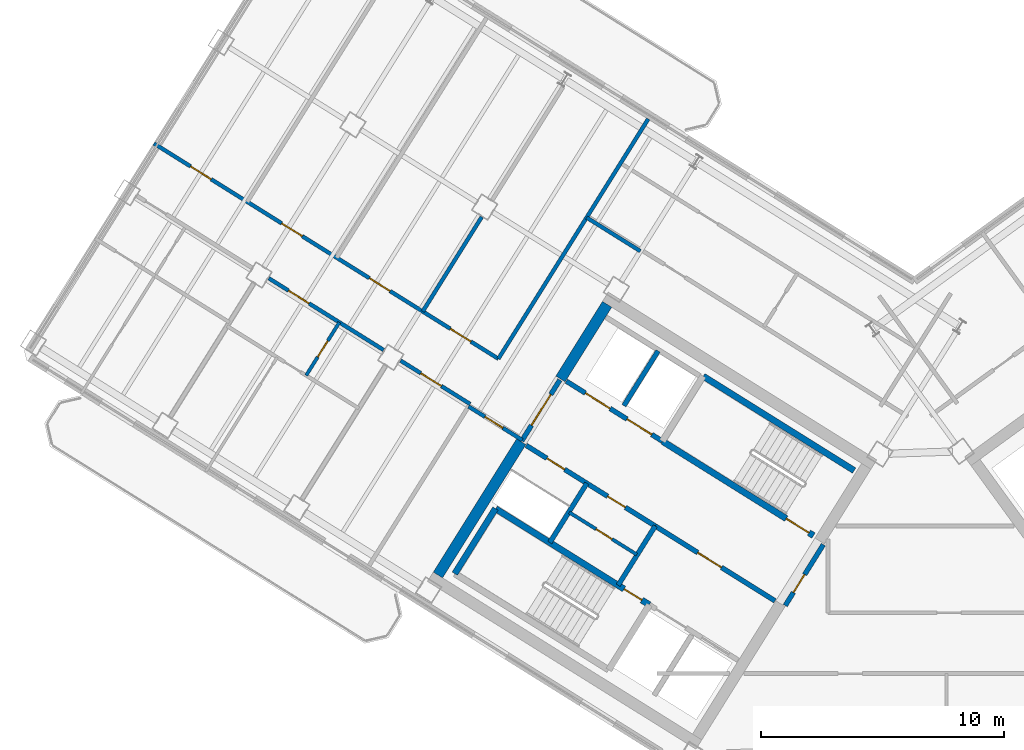
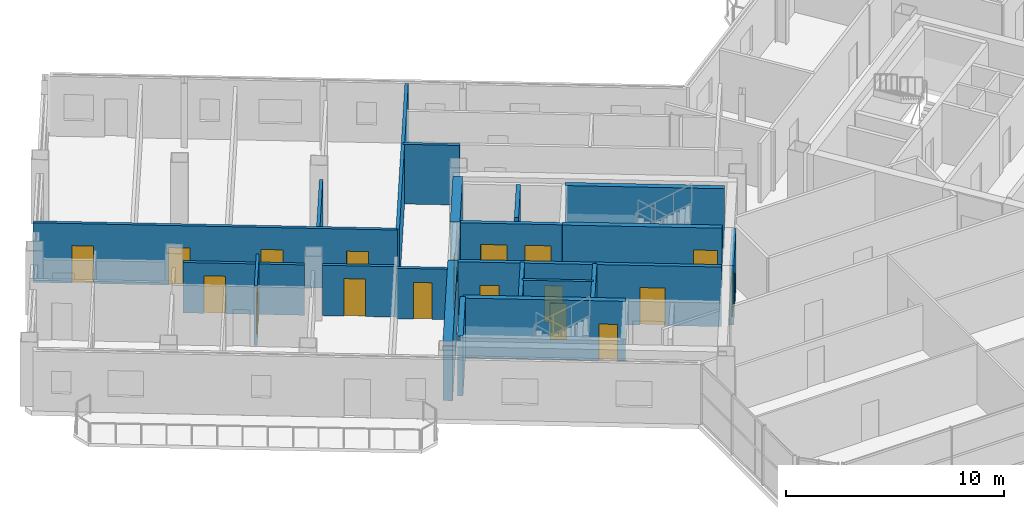
# One storey, part 12 of 21: 23 walls, 18 doors, 18 openings.
"""IFC4 building model written with IfcOpenShell, lengths in metres."""

from ifc_helpers import new_model, si_unit, direction, frame, frame_2d, origin, place, context, subcontext, project, spatial, rectangle, extrude, source, transform, mapped, material, layer, layer_set, type_object, element, fill, save


model = new_model("IFC4")

# Units and contexts
model_context = context("Model", 3, precision=1e-05, world=origin(), true_north=direction((0.0, 1.0)))
body_context = subcontext(model_context, "Body", "Model", "MODEL_VIEW")
ifc_project = project(units=[si_unit("LENGTHUNIT", "METRE"), si_unit("AREAUNIT", "SQUARE_METRE"), si_unit("VOLUMEUNIT", "CUBIC_METRE"), si_unit("PLANEANGLEUNIT", "RADIAN"), si_unit("MASSUNIT", "GRAM", prefix="KILO")], contexts=[model_context])

# Site, building, storey
site_placement = place(None, origin())
site = spatial("IfcSite", under=ifc_project, at=site_placement, CompositionType="ELEMENT")
building_placement = place(site_placement, origin())
building = spatial("IfcBuilding", under=site, at=building_placement, Name="Tlacorven Tower", CompositionType="ELEMENT")
storey_placement = place(building_placement, frame((0.0, 0.0, 214.800048828125)))
storey = spatial("IfcBuildingStorey", under=building, at=storey_placement, Name="L54", CompositionType="ELEMENT", Elevation=214.800048828125)

# Walls
ifc_material_1 = material(Name="Concrete C50/60", Category="concrete")
ifc_layer_1 = layer(ifc_material_1, 0.449951171875)
ifc_layer_set_1 = layer_set([ifc_layer_1], Name="Concrete C50/60")
wall_type_1 = type_object("IfcWallType", Name="WL-COR-450", PredefinedType="SHEAR", material=ifc_layer_set_1)
wall_1_placement = place(storey_placement, frame((29.543701171875, 30.636474609375, 0.0), z_axis=(0.0, 0.0, 1.0), x_axis=(-0.529902075036, -0.848058836916, 0.0)))
element("IfcWall", 1, at=wall_1_placement, inside=storey, type_object=wall_type_1, Name="L54 W core end wall E2.1", PredefinedType="SHEAR", context=body_context, shape_type="SweptSolid", body=[
    extrude(rectangle(XDim=3.625, YDim=0.449951171875, at=frame_2d((1.8125, 0.0))), origin(), (0.0, 0.0, 1.0), 3.349853515625),
])
wall_2_placement = place(storey_placement, frame((26.006591796875, 24.975830078125, 0.0), z_axis=(0.0, 0.0, 1.0), x_axis=(-0.529931155655, -0.848040665456, 0.0)))
element("IfcWall", 2, at=wall_2_placement, inside=storey, type_object=wall_type_1, Name="L54 W core end wall E2.2", PredefinedType="SHEAR", context=body_context, shape_type="SweptSolid", body=[
    extrude(rectangle(XDim=6.47509765625, YDim=0.449951171875, at=frame_2d((3.237548828125, 0.0))), origin(), (0.0, 0.0, 1.0), 3.349853515625),
])
ifc_material_2 = material(Name="Gypsum plasterboard acoustic partition", Category="gypsum")
ifc_layer_2 = layer(ifc_material_2, 0.159912109375)
ifc_layer_set_2 = layer_set([ifc_layer_2], Name="Gypsum plasterboard acoustic partition")
wall_type_2 = type_object("IfcWallType", Name="WL-DEM-160", PredefinedType="PARTITIONING", material=ifc_layer_set_2)
wall_3_placement = place(storey_placement, frame((30.91357421875, 32.82861328125, 0.0), z_axis=(0.0, 0.0, 1.0), x_axis=(-0.848008813643, 0.529982124211, 0.0)))
element("IfcWall", 3, at=wall_3_placement, inside=storey, type_object=wall_type_2, Name="L54 partition 39", PredefinedType="PARTITIONING", context=body_context, shape_type="SweptSolid", body=[
    extrude(rectangle(XDim=2.610107421875, YDim=0.159912109375, at=frame_2d((1.30517578125, 0.0))), origin(), (0.0, 0.0, 1.0), 3.33984375),
])

# Wall, opening, door
wall_4_placement = place(storey_placement, frame((26.048828125, 25.043701171875, 0.0), z_axis=(0.0, 0.0, 1.0), x_axis=(-0.848050851465, 0.529914854792, 0.0)))
wall_4 = element("IfcWall", 4, at=wall_4_placement, inside=storey, type_object=wall_type_2, Name="L54 partition 40", PredefinedType="PARTITIONING", context=body_context, shape_type="SweptSolid", body=[
    extrude(rectangle(XDim=2.60986328125, YDim=0.159912109375, at=frame_2d((1.304931640625, 0.0))), origin(), (0.0, 0.0, 1.0), 2.824951171875),
])
opening_1_placement = place(wall_4_placement, frame((0.949951171875, 0.0, 0.0)))
opening_1 = element("IfcOpeningElement", 5, at=opening_1_placement, cuts=wall_4, Name="Opening D19", PredefinedType="OPENING", context=body_context, shape_type="SweptSolid", body=[
    extrude(rectangle(XDim=0.860107421875, YDim=2.050048828125, at=frame_2d((0.43017578125, 1.02490234375))), frame((0.0, 0.08984375, 0.0), z_axis=(0.0, -1.0, 0.0), x_axis=(1.0, 0.0, 0.0)), (0.0, 0.0, 1.0), 0.179931640625),
])
ifc_material_3 = material(Name="Fire-rated steel door assembly", Category="steel")
door_type_1 = type_object("IfcDoorType", Name="DR-RSR-FD60-0860", OperationType="NOTDEFINED", PredefinedType="DOOR", material=ifc_material_3)
shared_shape_1 = source(origin(), body_context, "Body", "SweptSolid", [
    extrude(rectangle(XDim=0.860107421875, YDim=2.050048828125, at=frame_2d((0.43017578125, 1.02490234375))), frame((0.0, 0.02490234375, 0.0), z_axis=(0.0, -1.0, 0.0), x_axis=(1.0, 0.0, 0.0)), (0.0, 0.0, 1.0), 0.050048828125),
])
door_1_placement = place(opening_1_placement, origin())
door_1 = element("IfcDoor", 6, at=door_1_placement, inside=storey, type_object=door_type_1, Name="L54 door 022", OperationType="SINGLE_SWING_RIGHT", OverallHeight=2.050048828125, OverallWidth=0.860107421875, PredefinedType="DOOR", context=body_context, shape_type="MappedRepresentation", body=[
    mapped(shared_shape_1, transform((0.0, 0.0, 0.0), scale=1.0)),
])
fill(opening_1, door_1)

# Wall
wall_5_placement = place(storey_placement, frame((31.238525390625, 38.27392578125, 0.0), z_axis=(0.0, 0.0, 1.0), x_axis=(-0.529925472745, -0.848044216616, 0.0)))
element("IfcWall", 7, at=wall_5_placement, inside=storey, type_object=wall_type_2, Name="L54 partition 41", PredefinedType="PARTITIONING", context=body_context, shape_type="SweptSolid", body=[
    extrude(rectangle(XDim=11.64990234375, YDim=0.159912109375, at=frame_2d((5.824951171875, 0.0))), origin(), (0.0, 0.0, 1.0), 3.33984375),
])

# Wall, openings, doors
wall_6_placement = place(storey_placement, frame((25.06494140625, 28.394287109375, 0.0), z_axis=(0.0, 0.0, 1.0), x_axis=(-0.848048310262, 0.529918921593, 0.0)))
wall_6 = element("IfcWall", 8, at=wall_6_placement, inside=storey, type_object=wall_type_2, Name="L54 Wing W Corridor South Wall", PredefinedType="PARTITIONING", context=body_context, shape_type="SweptSolid", body=[
    extrude(rectangle(XDim=16.72998046875, YDim=0.159912109375, at=frame_2d((8.364990234375, 0.0))), origin(), (0.0, 0.0, 1.0), 3.33984375),
])
opening_2_placement = place(wall_6_placement, frame((1.337890625, 0.0, 0.0)))
opening_2 = element("IfcOpeningElement", 9, at=opening_2_placement, cuts=wall_6, Name="Opening D11", PredefinedType="OPENING", context=body_context, shape_type="SweptSolid", body=[
    extrude(rectangle(XDim=1.0, YDim=2.10009765625, at=frame_2d((0.5, 1.050048828125))), frame((0.0, 0.08984375, 0.0), z_axis=(0.0, -1.0, 0.0), x_axis=(1.0, 0.0, 0.0)), (0.0, 0.0, 1.0), 0.179931640625),
])
opening_3_placement = place(wall_6_placement, frame((5.264892578125, 0.0, 0.0)))
opening_3 = element("IfcOpeningElement", 10, at=opening_3_placement, cuts=wall_6, Name="Opening D11", PredefinedType="OPENING", context=body_context, shape_type="SweptSolid", body=[
    extrude(rectangle(XDim=1.0, YDim=2.10009765625, at=frame_2d((0.5, 1.050048828125))), frame((0.0, 0.08984375, 0.0), z_axis=(0.0, -1.0, 0.0), x_axis=(1.0, 0.0, 0.0)), (0.0, 0.0, 1.0), 0.179931640625),
])
opening_4_placement = place(wall_6_placement, frame((9.52587890625, 0.0, 0.0)))
opening_4 = element("IfcOpeningElement", 11, at=opening_4_placement, cuts=wall_6, Name="Opening D11", PredefinedType="OPENING", context=body_context, shape_type="SweptSolid", body=[
    extrude(rectangle(XDim=1.0, YDim=2.10009765625, at=frame_2d((0.5, 1.050048828125))), frame((0.0, 0.08984375, 0.0), z_axis=(0.0, -1.0, 0.0), x_axis=(1.0, 0.0, 0.0)), (0.0, 0.0, 1.0), 0.179931640625),
])
opening_5_placement = place(wall_6_placement, frame((13.9541015625, 0.0, 0.0)))
opening_5 = element("IfcOpeningElement", 12, at=opening_5_placement, cuts=wall_6, Name="Opening D11", PredefinedType="OPENING", context=body_context, shape_type="SweptSolid", body=[
    extrude(rectangle(XDim=1.0, YDim=2.10009765625, at=frame_2d((0.5, 1.050048828125))), frame((0.0, 0.08984375, 0.0), z_axis=(0.0, -1.0, 0.0), x_axis=(1.0, 0.0, 0.0)), (0.0, 0.0, 1.0), 0.179931640625),
])
door_type_2 = type_object("IfcDoorType", Name="DR-FLT-FD60-1000", OperationType="NOTDEFINED", PredefinedType="DOOR", material=ifc_material_3)
shared_shape_2 = source(origin(), body_context, "Body", "SweptSolid", [
    extrude(rectangle(XDim=1.0, YDim=2.10009765625, at=frame_2d((0.5, 1.050048828125))), frame((0.0, 0.02490234375, 0.0), z_axis=(0.0, -1.0, 0.0), x_axis=(1.0, 0.0, 0.0)), (0.0, 0.0, 1.0), 0.050048828125),
])
door_2_placement = place(opening_2_placement, frame((1.0, 0.0, 0.0), z_axis=(0.0, 0.0, 1.0), x_axis=(-1.0, 0.0, 0.0)))
door_2 = element("IfcDoor", 13, at=door_2_placement, inside=storey, type_object=door_type_2, Name="L54 door 034", OperationType="SINGLE_SWING_LEFT", OverallHeight=2.10009765625, OverallWidth=1.0, PredefinedType="DOOR", context=body_context, shape_type="MappedRepresentation", body=[
    mapped(shared_shape_2, transform((0.0, 0.0, 0.0), scale=1.0)),
])
fill(opening_2, door_2)
door_3_placement = place(opening_3_placement, frame((1.0, 0.0, 0.0), z_axis=(0.0, 0.0, 1.0), x_axis=(-1.0, 0.0, 0.0)))
door_3 = element("IfcDoor", 14, at=door_3_placement, inside=storey, type_object=door_type_2, Name="L54 door 035", OperationType="SINGLE_SWING_RIGHT", OverallHeight=2.10009765625, OverallWidth=1.0, PredefinedType="DOOR", context=body_context, shape_type="MappedRepresentation", body=[
    mapped(shared_shape_2, transform((0.0, 0.0, 0.0), scale=1.0)),
])
fill(opening_3, door_3)
door_4_placement = place(opening_4_placement, frame((1.0, 0.0, 0.0), z_axis=(0.0, 0.0, 1.0), x_axis=(-1.0, 0.0, 0.0)))
door_4 = element("IfcDoor", 15, at=door_4_placement, inside=storey, type_object=door_type_2, Name="L54 door 036", OperationType="SINGLE_SWING_LEFT", OverallHeight=2.10009765625, OverallWidth=1.0, PredefinedType="DOOR", context=body_context, shape_type="MappedRepresentation", body=[
    mapped(shared_shape_2, transform((0.0, 0.0, 0.0), scale=1.0)),
])
fill(opening_4, door_4)
door_5_placement = place(opening_5_placement, frame((1.0, 0.0, 0.0), z_axis=(0.0, 0.0, 1.0), x_axis=(-1.0, 0.0, 0.0)))
door_5 = element("IfcDoor", 16, at=door_5_placement, inside=storey, type_object=door_type_2, Name="L54 door 037", OperationType="SINGLE_SWING_RIGHT", OverallHeight=2.10009765625, OverallWidth=1.0, PredefinedType="DOOR", context=body_context, shape_type="MappedRepresentation", body=[
    mapped(shared_shape_2, transform((0.0, 0.0, 0.0), scale=1.0)),
])
fill(opening_5, door_5)

# Wall, opening, door
wall_7_placement = place(storey_placement, frame((23.899169921875, 26.528564453125, 0.0), z_axis=(0.0, 0.0, 1.0), x_axis=(-0.848055143312, 0.529907986259, 0.0)))
wall_7 = element("IfcWall", 17, at=wall_7_placement, inside=storey, type_object=wall_type_2, Name="L54 Wing W Corridor North Wall", PredefinedType="PARTITIONING", context=body_context, shape_type="SweptSolid", body=[
    extrude(rectangle(XDim=3.3779296875, YDim=0.159912109375, at=frame_2d((1.68896484375, 0.0))), origin(), (0.0, 0.0, 1.0), 2.824951171875),
])
opening_6_placement = place(wall_7_placement, frame((1.39501953125, 0.0, 0.0)))
opening_6 = element("IfcOpeningElement", 18, at=opening_6_placement, cuts=wall_7, Name="Opening D11", PredefinedType="OPENING", context=body_context, shape_type="SweptSolid", body=[
    extrude(rectangle(XDim=1.0, YDim=2.10009765625, at=frame_2d((0.5, 1.050048828125))), frame((0.0, 0.08984375, 0.0), z_axis=(0.0, -1.0, 0.0), x_axis=(1.0, 0.0, 0.0)), (0.0, 0.0, 1.0), 0.179931640625),
])
door_6_placement = place(opening_6_placement, origin())
door_6 = element("IfcDoor", 19, at=door_6_placement, inside=storey, type_object=door_type_2, Name="L54 door 024", OperationType="SINGLE_SWING_LEFT", OverallHeight=2.10009765625, OverallWidth=1.0, PredefinedType="DOOR", context=body_context, shape_type="MappedRepresentation", body=[
    mapped(shared_shape_2, transform((0.0, 0.0, 0.0), scale=1.0)),
])
fill(opening_6, door_6)

wall_8_placement = place(storey_placement, frame((20.335693359375, 28.755126953125, 0.0), z_axis=(0.0, 0.0, 1.0), x_axis=(-0.848049955116, 0.529916289265, 0.0)))
wall_8 = element("IfcWall", 20, at=wall_8_placement, inside=storey, type_object=wall_type_2, Name="L54 Wing W Corridor North Wall", PredefinedType="PARTITIONING", context=body_context, shape_type="SweptSolid", body=[
    extrude(rectangle(XDim=5.575927734375, YDim=0.159912109375, at=frame_2d((2.7880859375, 0.0))), origin(), (0.0, 0.0, 1.0), 2.824951171875),
])
opening_7_placement = place(wall_8_placement, frame((3.617919921875, 0.0, 0.0)))
opening_7 = element("IfcOpeningElement", 21, at=opening_7_placement, cuts=wall_8, Name="Opening D11", PredefinedType="OPENING", context=body_context, shape_type="SweptSolid", body=[
    extrude(rectangle(XDim=1.0, YDim=2.10009765625, at=frame_2d((0.5, 1.050048828125))), frame((0.0, 0.08984375, 0.0), z_axis=(0.0, -1.0, 0.0), x_axis=(1.0, 0.0, 0.0)), (0.0, 0.0, 1.0), 0.179931640625),
])
door_7_placement = place(opening_7_placement, origin())
door_7 = element("IfcDoor", 22, at=door_7_placement, inside=storey, type_object=door_type_2, Name="L54 door 026", OperationType="SINGLE_SWING_LEFT", OverallHeight=2.10009765625, OverallWidth=1.0, PredefinedType="DOOR", context=body_context, shape_type="MappedRepresentation", body=[
    mapped(shared_shape_2, transform((0.0, 0.0, 0.0), scale=1.0)),
])
fill(opening_7, door_7)

# Wall
wall_9_placement = place(storey_placement, frame((24.378662109375, 34.23291015625, 0.0), z_axis=(0.0, 0.0, 1.0), x_axis=(-0.529922402838, -0.84804613493, 0.0)))
element("IfcWall", 23, at=wall_9_placement, inside=storey, type_object=wall_type_2, Name="L54 partition 55", PredefinedType="PARTITIONING", context=body_context, shape_type="SweptSolid", body=[
    extrude(rectangle(XDim=4.587646484375, YDim=0.159912109375, at=frame_2d((2.2939453125, 0.0))), origin(), (0.0, 0.0, 1.0), 2.824951171875),
])

# Wall, opening, door
ifc_material_4 = material(Name="Moisture-resistant gypsum plumbing wall", Category="gypsum")
ifc_layer_3 = layer(ifc_material_4, 0.139892578125)
ifc_layer_set_3 = layer_set([ifc_layer_3], Name="Moisture-resistant gypsum plumbing wall")
wall_type_3 = type_object("IfcWallType", Name="WL-PLM-140", PredefinedType="PLUMBINGWALL", material=ifc_layer_set_3)
wall_10_placement = place(storey_placement, frame((30.766357421875, 20.3271484375, 0.0), z_axis=(0.0, 0.0, 1.0), x_axis=(-0.848052663127, 0.529911955482, 0.0)))
wall_10 = element("IfcWall", 24, at=wall_10_placement, inside=storey, type_object=wall_type_3, Name="L54 partition 18", PredefinedType="PLUMBINGWALL", context=body_context, shape_type="SweptSolid", body=[
    extrude(rectangle(XDim=3.27978515625, YDim=0.139892578125, at=frame_2d((1.639892578125, 0.0))), origin(), (0.0, 0.0, 1.0), 3.33984375),
])
opening_8_placement = place(wall_10_placement, frame((1.199951171875, 0.0, 0.0)))
opening_8 = element("IfcOpeningElement", 25, at=opening_8_placement, cuts=wall_10, Name="Opening D22", PredefinedType="OPENING", context=body_context, shape_type="SweptSolid", body=[
    extrude(rectangle(XDim=0.780029296875, YDim=2.050048828125, at=frame_2d((0.39013671875, 1.02490234375))), frame((0.0, 0.080078125, 0.0), z_axis=(0.0, -1.0, 0.0), x_axis=(1.0, 0.0, 0.0)), (0.0, 0.0, 1.0), 0.159912109375),
])
ifc_material_5 = material(Name="Powder-coated aluminium and timber door", Category="wood")
door_type_3 = type_object("IfcDoorType", Name="DR-INT-WET-0780", OperationType="NOTDEFINED", PredefinedType="DOOR", material=ifc_material_5)
shared_shape_3 = source(origin(), body_context, "Body", "SweptSolid", [
    extrude(rectangle(XDim=0.780029296875, YDim=2.050048828125, at=frame_2d((0.39013671875, 1.02490234375))), frame((0.0, 0.02490234375, 0.0), z_axis=(0.0, -1.0, 0.0), x_axis=(1.0, 0.0, 0.0)), (0.0, 0.0, 1.0), 0.050048828125),
])
door_8_placement = place(opening_8_placement, origin())
door_8 = element("IfcDoor", 26, at=door_8_placement, inside=storey, type_object=door_type_3, Name="L54 door 010", OperationType="SINGLE_SWING_LEFT", OverallHeight=2.050048828125, OverallWidth=0.780029296875, PredefinedType="DOOR", context=body_context, shape_type="MappedRepresentation", body=[
    mapped(shared_shape_3, transform((0.0, 0.0, 0.0), scale=1.0)),
])
fill(opening_8, door_8)

wall_11_placement = place(storey_placement, frame((18.513916015625, 29.8935546875, 0.0), z_axis=(0.0, 0.0, 1.0), x_axis=(-0.529913878929, -0.848051461244, 0.0)))
wall_11 = element("IfcWall", 27, at=wall_11_placement, inside=storey, type_object=wall_type_3, Name="L54 partition 49", PredefinedType="PLUMBINGWALL", context=body_context, shape_type="SweptSolid", body=[
    extrude(rectangle(XDim=2.580078125, YDim=0.139892578125, at=frame_2d((1.2900390625, 0.0))), origin(), (0.0, 0.0, 1.0), 3.33984375),
])
opening_9_placement = place(wall_11_placement, frame((0.89990234375, 0.0, 0.0)))
opening_9 = element("IfcOpeningElement", 28, at=opening_9_placement, cuts=wall_11, Name="Opening D22", PredefinedType="OPENING", context=body_context, shape_type="SweptSolid", body=[
    extrude(rectangle(XDim=0.780029296875, YDim=2.050048828125, at=frame_2d((0.39013671875, 1.02490234375))), frame((0.0, 0.080078125, 0.0), z_axis=(0.0, -1.0, 0.0), x_axis=(1.0, 0.0, 0.0)), (0.0, 0.0, 1.0), 0.159912109375),
])
door_9_placement = place(opening_9_placement, origin())
door_9 = element("IfcDoor", 29, at=door_9_placement, inside=storey, type_object=door_type_3, Name="L54 door 028", OperationType="SINGLE_SWING_LEFT", OverallHeight=2.050048828125, OverallWidth=0.780029296875, PredefinedType="DOOR", context=body_context, shape_type="MappedRepresentation", body=[
    mapped(shared_shape_3, transform((0.0, 0.0, 0.0), scale=1.0)),
])
fill(opening_9, door_9)

ifc_material_6 = material(Name="Concrete C40/50", Category="concrete")
ifc_layer_4 = layer(ifc_material_6, 0.199951171875)
ifc_layer_set_4 = layer_set([ifc_layer_4], Name="Concrete C40/50")
wall_type_4 = type_object("IfcWallType", Name="WL-SHF-200", PredefinedType="STANDARD", material=ifc_layer_set_4)
wall_12_placement = place(storey_placement, frame((36.459228515625, 18.420654296875, 0.0), z_axis=(0.0, 0.0, 1.0), x_axis=(-0.848059591691, 0.529900867089, 0.0)))
wall_12 = element("IfcWall", 30, at=wall_12_placement, inside=storey, type_object=wall_type_4, Name="L54 Core W Smoke Lobby Wall", PredefinedType="STANDARD", context=body_context, shape_type="SweptSolid", body=[
    extrude(rectangle(XDim=5.818115234375, YDim=0.199951171875, at=frame_2d((2.9091796875, 0.0))), origin(), (0.0, 0.0, 1.0), 3.33984375),
])
opening_10_placement = place(wall_12_placement, frame((2.597900390625, 0.0, 0.0)))
opening_10 = element("IfcOpeningElement", 31, at=opening_10_placement, cuts=wall_12, Name="Opening D09", PredefinedType="OPENING", context=body_context, shape_type="SweptSolid", body=[
    extrude(rectangle(XDim=1.14990234375, YDim=2.10009765625, at=frame_2d((0.574951171875, 1.050048828125))), frame((0.0, 0.10986328125, 0.0), z_axis=(0.0, -1.0, 0.0), x_axis=(1.0, 0.0, 0.0)), (0.0, 0.0, 1.0), 0.219970703125),
])
door_type_4 = type_object("IfcDoorType", Name="DR-FFL-FD60-1150", OperationType="NOTDEFINED", PredefinedType="DOOR", material=ifc_material_3)
shared_shape_4 = source(origin(), body_context, "Body", "SweptSolid", [
    extrude(rectangle(XDim=1.14990234375, YDim=2.10009765625, at=frame_2d((0.574951171875, 1.050048828125))), frame((0.0, 0.02490234375, 0.0), z_axis=(0.0, -1.0, 0.0), x_axis=(1.0, 0.0, 0.0)), (0.0, 0.0, 1.0), 0.050048828125),
])
door_10_placement = place(opening_10_placement, origin())
door_10 = element("IfcDoor", 32, at=door_10_placement, inside=storey, type_object=door_type_4, Name="L54 Firefighting Lobby W Fire Door", OperationType="SINGLE_SWING_RIGHT", OverallHeight=2.10009765625, OverallWidth=1.14990234375, PredefinedType="DOOR", context=body_context, shape_type="MappedRepresentation", body=[
    mapped(shared_shape_4, transform((0.0, 0.0, 0.0), scale=1.0)),
])
fill(opening_10, door_10)

# Wall, openings, doors
wall_13_placement = place(storey_placement, frame((31.82177734375, 24.99755859375, 0.0), z_axis=(0.0, 0.0, 1.0), x_axis=(-0.848054125777, 0.529909614701, 0.0)))
wall_13 = element("IfcWall", 33, at=wall_13_placement, inside=storey, type_object=wall_type_4, Name="L54 Core W South Lift Shaft Wall", PredefinedType="STANDARD", context=body_context, shape_type="SweptSolid", body=[
    extrude(rectangle(XDim=4.66796875, YDim=0.199951171875, at=frame_2d((2.333984375, 0.0))), origin(), (0.0, 0.0, 1.0), 3.33984375),
])
opening_11_placement = place(wall_13_placement, frame((0.52001953125, 0.0, 0.0)))
opening_11 = element("IfcOpeningElement", 34, at=opening_11_placement, cuts=wall_13, Name="Opening LD02", PredefinedType="OPENING", context=body_context, shape_type="SweptSolid", body=[
    extrude(rectangle(XDim=1.199951171875, YDim=2.14990234375, at=frame_2d((0.60009765625, 1.074951171875))), frame((0.0, 0.10986328125, 0.0), z_axis=(0.0, -1.0, 0.0), x_axis=(1.0, 0.0, 0.0)), (0.0, 0.0, 1.0), 0.219970703125),
])
opening_12_placement = place(wall_13_placement, frame((2.5400390625, 0.0, 0.0)))
opening_12 = element("IfcOpeningElement", 35, at=opening_12_placement, cuts=wall_13, Name="Opening LD02", PredefinedType="OPENING", context=body_context, shape_type="SweptSolid", body=[
    extrude(rectangle(XDim=1.199951171875, YDim=2.14990234375, at=frame_2d((0.60009765625, 1.074951171875))), frame((0.0, 0.10986328125, 0.0), z_axis=(0.0, -1.0, 0.0), x_axis=(1.0, 0.0, 0.0)), (0.0, 0.0, 1.0), 0.219970703125),
])
door_type_5 = type_object("IfcDoorType", Name="DR-LFT-SLID-1200", OperationType="DOUBLE_DOOR_SLIDING", PredefinedType="DOOR", material=ifc_material_3)
shared_shape_5 = source(origin(), body_context, "Body", "SweptSolid", [
    extrude(rectangle(XDim=1.199951171875, YDim=2.14990234375, at=frame_2d((0.60009765625, 1.074951171875))), frame((0.0, 0.02490234375, 0.0), z_axis=(0.0, -1.0, 0.0), x_axis=(1.0, 0.0, 0.0)), (0.0, 0.0, 1.0), 0.050048828125),
])
door_11_placement = place(opening_11_placement, origin())
door_11 = element("IfcDoor", 36, at=door_11_placement, inside=storey, type_object=door_type_5, Name="L54 Lift PL-H1 Sliding Landing Door", OperationType="DOUBLE_DOOR_SLIDING", OverallHeight=2.14990234375, OverallWidth=1.199951171875, PredefinedType="DOOR", context=body_context, shape_type="MappedRepresentation", body=[
    mapped(shared_shape_5, transform((0.0, 0.0, 0.0), scale=1.0)),
])
fill(opening_11, door_11)
door_12_placement = place(opening_12_placement, origin())
door_12 = element("IfcDoor", 37, at=door_12_placement, inside=storey, type_object=door_type_5, Name="L54 Lift PL-H2 Sliding Landing Door", OperationType="DOUBLE_DOOR_SLIDING", OverallHeight=2.14990234375, OverallWidth=1.199951171875, PredefinedType="DOOR", context=body_context, shape_type="MappedRepresentation", body=[
    mapped(shared_shape_5, transform((0.0, 0.0, 0.0), scale=1.0)),
])
fill(opening_12, door_12)

# Walls
wall_14_placement = place(storey_placement, frame((31.645263671875, 28.716064453125, 0.0), z_axis=(0.0, 0.0, 1.0), x_axis=(-0.52986693015, -0.848080795876, 0.0)))
element("IfcWall", 38, at=wall_14_placement, inside=storey, type_object=wall_type_4, Name="L54 partition 12", PredefinedType="STANDARD", context=body_context, shape_type="SweptSolid", body=[
    extrude(rectangle(XDim=2.659912109375, YDim=0.199951171875, at=frame_2d((1.330078125, 0.0))), origin(), (0.0, 0.0, 1.0), 3.33984375),
])
for number, where, z_axis, x_axis, name in (
    (39, (31.525146484375, 21.503662109375, 0.0), (0.0, 0.0, 1.0), (-0.529907497854, -0.848055448493, 0.0), "L54 partition 15"),
    (40, (28.709716796875, 23.26318359375, 0.0), (0.0, 0.0, 1.0), (-0.529907497854, -0.848055448493, 0.0), "L54 partition 16"),
):
    element("IfcWall", number, at=place(storey_placement, frame(where, z_axis=z_axis, x_axis=x_axis)), inside=storey, type_object=wall_type_4, Name=name, PredefinedType="STANDARD", context=body_context, shape_type="SweptSolid", body=[
        extrude(rectangle(XDim=2.8798828125, YDim=0.199951171875, at=frame_2d((1.43994140625, 0.0))), origin(), (0.0, 0.0, 1.0), 3.33984375),
    ])

# Wall, openings, doors
wall_15_placement = place(storey_placement, frame((31.525146484375, 21.503662109375, 0.0), z_axis=(0.0, 0.0, 1.0), x_axis=(-0.848042066329, 0.529928913853, 0.0)))
wall_15 = element("IfcWall", 41, at=wall_15_placement, inside=storey, type_object=wall_type_4, Name="L54 Core W North Service Wall", PredefinedType="STANDARD", context=body_context, shape_type="SweptSolid", body=[
    extrude(rectangle(XDim=6.267822265625, YDim=0.199951171875, at=frame_2d((3.1337890625, 0.0))), origin(), (0.0, 0.0, 1.0), 3.33984375),
])
opening_13_placement = place(wall_15_placement, frame((4.39990234375, 0.0, 0.0)))
opening_13 = element("IfcOpeningElement", 42, at=opening_13_placement, cuts=wall_15, Name="Opening D19", PredefinedType="OPENING", context=body_context, shape_type="SweptSolid", body=[
    extrude(rectangle(XDim=0.860107421875, YDim=2.050048828125, at=frame_2d((0.43017578125, 1.02490234375))), frame((0.0, 0.10986328125, 0.0), z_axis=(0.0, -1.0, 0.0), x_axis=(1.0, 0.0, 0.0)), (0.0, 0.0, 1.0), 0.219970703125),
])
opening_14_placement = place(wall_15_placement, frame((1.449951171875, 0.0, 0.0)))
opening_14 = element("IfcOpeningElement", 43, at=opening_14_placement, cuts=wall_15, Name="Opening D19", PredefinedType="OPENING", context=body_context, shape_type="SweptSolid", body=[
    extrude(rectangle(XDim=0.860107421875, YDim=2.050048828125, at=frame_2d((0.43017578125, 1.02490234375))), frame((0.0, 0.10986328125, 0.0), z_axis=(0.0, -1.0, 0.0), x_axis=(1.0, 0.0, 0.0)), (0.0, 0.0, 1.0), 0.219970703125),
])
door_13_placement = place(opening_13_placement, frame((0.860107421875, 0.0, 0.0), z_axis=(0.0, 0.0, 1.0), x_axis=(-1.0, 0.0, 0.0)))
door_13 = element("IfcDoor", 44, at=door_13_placement, inside=storey, type_object=door_type_1, Name="L54 Electrical Riser Access Door W", OperationType="SINGLE_SWING_LEFT", OverallHeight=2.050048828125, OverallWidth=0.860107421875, PredefinedType="DOOR", context=body_context, shape_type="MappedRepresentation", body=[
    mapped(shared_shape_1, transform((0.0, 0.0, 0.0), scale=1.0)),
])
fill(opening_13, door_13)
door_14_placement = place(opening_14_placement, frame((0.860107421875, 0.0, 0.0), z_axis=(0.0, 0.0, 1.0), x_axis=(-1.0, 0.0, 0.0)))
door_14 = element("IfcDoor", 45, at=door_14_placement, inside=storey, type_object=door_type_1, Name="L54 Cleaner Store Access Door W", OperationType="SINGLE_SWING_RIGHT", OverallHeight=2.050048828125, OverallWidth=0.860107421875, PredefinedType="DOOR", context=body_context, shape_type="MappedRepresentation", body=[
    mapped(shared_shape_1, transform((0.0, 0.0, 0.0), scale=1.0)),
])
fill(opening_14, door_14)

# Wall, opening, door
wall_16_placement = place(storey_placement, frame((27.59619140625, 27.52001953125, 0.0), z_axis=(0.0, 0.0, 1.0), x_axis=(-0.529865479138, -0.848081702443, 0.0)))
wall_16 = element("IfcWall", 46, at=wall_16_placement, inside=storey, type_object=wall_type_4, Name="L54 partition 38", PredefinedType="STANDARD", context=body_context, shape_type="SweptSolid", body=[
    extrude(rectangle(XDim=2.9599609375, YDim=0.199951171875, at=frame_2d((1.47998046875, 0.0))), origin(), (0.0, 0.0, 1.0), 3.33984375),
])
opening_15_placement = place(wall_16_placement, frame((0.699951171875, 0.0, 0.0)))
opening_15 = element("IfcOpeningElement", 47, at=opening_15_placement, cuts=wall_16, Name="Opening D10", PredefinedType="OPENING", context=body_context, shape_type="SweptSolid", body=[
    extrude(rectangle(XDim=1.5, YDim=2.14990234375, at=frame_2d((0.75, 1.074951171875))), frame((0.0, 0.10986328125, 0.0), z_axis=(0.0, -1.0, 0.0), x_axis=(1.0, 0.0, 0.0)), (0.0, 0.0, 1.0), 0.219970703125),
])
door_type_6 = type_object("IfcDoorType", Name="DR-LOB-FD60-1500", OperationType="DOUBLE_DOOR_SINGLE_SWING", PredefinedType="DOOR", material=ifc_material_3)
shared_shape_6 = source(origin(), body_context, "Body", "SweptSolid", [
    extrude(rectangle(XDim=1.5, YDim=2.14990234375, at=frame_2d((0.75, 1.074951171875))), frame((0.0, 0.02490234375, 0.0), z_axis=(0.0, -1.0, 0.0), x_axis=(1.0, 0.0, 0.0)), (0.0, 0.0, 1.0), 0.050048828125),
])
door_15_placement = place(opening_15_placement, origin())
door_15 = element("IfcDoor", 48, at=door_15_placement, inside=storey, type_object=door_type_6, Name="L54 door 023", OperationType="DOUBLE_DOOR_SINGLE_SWING", OverallHeight=2.14990234375, OverallWidth=1.5, PredefinedType="DOOR", context=body_context, shape_type="MappedRepresentation", body=[
    mapped(shared_shape_6, transform((0.0, 0.0, 0.0), scale=1.0)),
])
fill(opening_15, door_15)

wall_17_placement = place(storey_placement, frame((38.451416015625, 20.737060546875, 0.0), z_axis=(0.0, 0.0, 1.0), x_axis=(-0.529924799939, -0.848044637038, 0.0)))
wall_17 = element("IfcWall", 49, at=wall_17_placement, inside=storey, type_object=wall_type_4, Name="L54 partition 62", PredefinedType="STANDARD", context=body_context, shape_type="SweptSolid", body=[
    extrude(rectangle(XDim=2.9599609375, YDim=0.199951171875, at=frame_2d((1.47998046875, 0.0))), origin(), (0.0, 0.0, 1.0), 3.33984375),
])
opening_16_placement = place(wall_17_placement, frame((1.4599609375, 0.0, 0.0)))
opening_16 = element("IfcOpeningElement", 50, at=opening_16_placement, cuts=wall_17, Name="Opening D19", PredefinedType="OPENING", context=body_context, shape_type="SweptSolid", body=[
    extrude(rectangle(XDim=0.860107421875, YDim=2.050048828125, at=frame_2d((0.43017578125, 1.02490234375))), frame((0.0, 0.10986328125, 0.0), z_axis=(0.0, -1.0, 0.0), x_axis=(1.0, 0.0, 0.0)), (0.0, 0.0, 1.0), 0.219970703125),
])
door_16_placement = place(opening_16_placement, frame((0.860107421875, 0.0, 0.0), z_axis=(0.0, 0.0, 1.0), x_axis=(-1.0, 0.0, 0.0)))
door_16 = element("IfcDoor", 51, at=door_16_placement, inside=storey, type_object=door_type_1, Name="L54 door 042", OperationType="SINGLE_SWING_LEFT", OverallHeight=2.050048828125, OverallWidth=0.860107421875, PredefinedType="DOOR", context=body_context, shape_type="MappedRepresentation", body=[
    mapped(shared_shape_1, transform((0.0, 0.0, 0.0), scale=1.0)),
])
fill(opening_16, door_16)

ifc_layer_5 = layer(ifc_material_1, 0.260009765625)
ifc_layer_set_5 = layer_set([ifc_layer_5], Name="Concrete C50/60")
wall_type_5 = type_object("IfcWallType", Name="WL-STW-260", PredefinedType="SHEAR", material=ifc_layer_set_5)
wall_18_placement = place(storey_placement, frame((31.279541015625, 18.26123046875, 0.0), z_axis=(0.0, 0.0, 1.0), x_axis=(-0.848051618787, 0.529913626805, 0.0)))
wall_18 = element("IfcWall", 52, at=wall_18_placement, inside=storey, type_object=wall_type_5, Name="L54 Stair W1 Lobby Shear Wall", PredefinedType="SHEAR", context=body_context, shape_type="SweptSolid", body=[
    extrude(rectangle(XDim=7.4599609375, YDim=0.260009765625, at=frame_2d((3.72998046875, 0.0))), origin(), (0.0, 0.0, 1.0), 3.349853515625),
])
opening_17_placement = place(wall_18_placement, frame((0.360107421875, 0.0, 0.0)))
opening_17 = element("IfcOpeningElement", 53, at=opening_17_placement, cuts=wall_18, Name="Opening D19", PredefinedType="OPENING", context=body_context, shape_type="SweptSolid", body=[
    extrude(rectangle(XDim=0.860107421875, YDim=2.050048828125, at=frame_2d((0.43017578125, 1.02490234375))), frame((0.0, 0.14013671875, 0.0), z_axis=(0.0, -1.0, 0.0), x_axis=(1.0, 0.0, 0.0)), (0.0, 0.0, 1.0), 0.280029296875),
])
door_17_placement = place(opening_17_placement, frame((0.860107421875, 0.0, 0.0), z_axis=(0.0, 0.0, 1.0), x_axis=(-1.0, 0.0, 0.0)))
door_17 = element("IfcDoor", 54, at=door_17_placement, inside=storey, type_object=door_type_1, Name="L54 Exit Stair W1 Fire Door", OperationType="SINGLE_SWING_LEFT", OverallHeight=2.050048828125, OverallWidth=0.860107421875, PredefinedType="DOOR", context=body_context, shape_type="MappedRepresentation", body=[
    mapped(shared_shape_1, transform((0.0, 0.0, 0.0), scale=1.0)),
])
fill(opening_17, door_17)

# Walls
wall_19_placement = place(storey_placement, frame((24.944580078125, 22.2197265625, 0.0), z_axis=(0.0, 0.0, 1.0), x_axis=(-0.529908658664, -0.84805472316, 0.0)))
element("IfcWall", 55, at=wall_19_placement, inside=storey, type_object=wall_type_5, Name="L54 Stair W1 East Shear Wall", PredefinedType="SHEAR", context=body_context, shape_type="SweptSolid", body=[
    extrude(rectangle(XDim=3.16015625, YDim=0.260009765625, at=frame_2d((1.580078125, 0.0))), origin(), (0.0, 0.0, 1.0), 3.349853515625),
])
wall_20_placement = place(storey_placement, frame((39.720947265625, 23.787841796875, 0.0), z_axis=(0.0, 0.0, 1.0), x_axis=(-0.848054434086, 0.529909121291, 0.0)))
element("IfcWall", 56, at=wall_20_placement, inside=storey, type_object=wall_type_5, Name="L54 Stair W2 Far Shear Wall", PredefinedType="SHEAR", context=body_context, shape_type="SweptSolid", body=[
    extrude(rectangle(XDim=7.330078125, YDim=0.260009765625, at=frame_2d((3.6650390625, 0.0))), origin(), (0.0, 0.0, 1.0), 3.349853515625),
])

# Wall, opening, door
wall_21_placement = place(storey_placement, frame((38.04638671875, 21.10791015625, 0.0), z_axis=(0.0, 0.0, 1.0), x_axis=(-0.848054434086, 0.529909121291, 0.0)))
wall_21 = element("IfcWall", 57, at=wall_21_placement, inside=storey, type_object=wall_type_5, Name="L54 Stair W2 Lobby Shear Wall", PredefinedType="SHEAR", context=body_context, shape_type="SweptSolid", body=[
    extrude(rectangle(XDim=7.330078125, YDim=0.260009765625, at=frame_2d((3.6650390625, 0.0))), origin(), (0.0, 0.0, 1.0), 3.349853515625),
])
opening_18_placement = place(wall_21_placement, frame((0.219970703125, 0.0, 0.0)))
opening_18 = element("IfcOpeningElement", 58, at=opening_18_placement, cuts=wall_21, Name="Opening D07", PredefinedType="OPENING", context=body_context, shape_type="SweptSolid", body=[
    extrude(rectangle(XDim=1.10009765625, YDim=2.10009765625, at=frame_2d((0.550048828125, 1.050048828125))), frame((0.0, 0.14013671875, 0.0), z_axis=(0.0, -1.0, 0.0), x_axis=(1.0, 0.0, 0.0)), (0.0, 0.0, 1.0), 0.280029296875),
])
door_type_7 = type_object("IfcDoorType", Name="DR-STR-FD90-1100", OperationType="NOTDEFINED", PredefinedType="DOOR", material=ifc_material_3)
shared_shape_7 = source(origin(), body_context, "Body", "SweptSolid", [
    extrude(rectangle(XDim=1.10009765625, YDim=2.10009765625, at=frame_2d((0.550048828125, 1.050048828125))), frame((0.0, 0.02490234375, 0.0), z_axis=(0.0, -1.0, 0.0), x_axis=(1.0, 0.0, 0.0)), (0.0, 0.0, 1.0), 0.050048828125),
])
door_18_placement = place(opening_18_placement, origin())
door_18 = element("IfcDoor", 59, at=door_18_placement, inside=storey, type_object=door_type_7, Name="L54 Exit Stair W2 Fire Door", OperationType="SINGLE_SWING_LEFT", OverallHeight=2.10009765625, OverallWidth=1.10009765625, PredefinedType="DOOR", context=body_context, shape_type="MappedRepresentation", body=[
    mapped(shared_shape_7, transform((0.0, 0.0, 0.0), scale=1.0)),
])
fill(opening_18, door_18)

save(model, "model.ifc")
